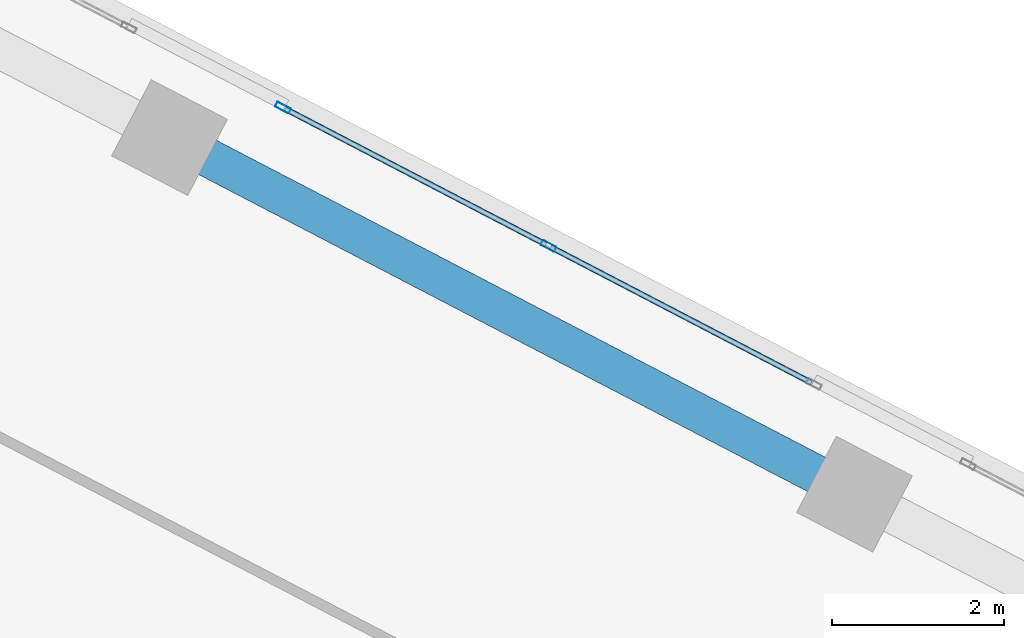
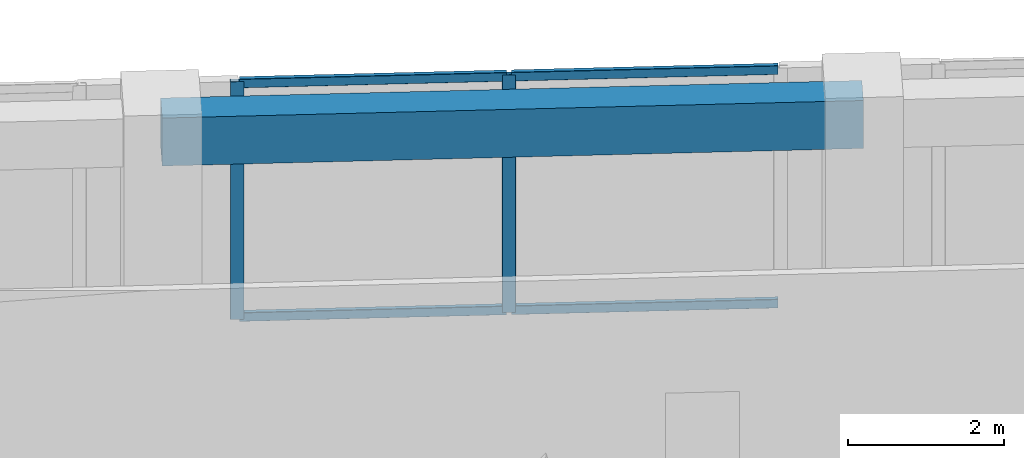
# One storey, part 13 of 22: 6 members, 1 beam, 1 element without a shape of its own.
"""IFC4 building model written with IfcOpenShell, lengths in metres."""

from ifc_helpers import new_model, si_unit, direction, frame, origin, origin_2d, place, context, subcontext, project, spatial, rectangle, hollow_rectangle, extrude, source, transform, mapped, material, material_profile, profile_set, type_object, element, aggregate, save


model = new_model("IFC4")

# Units and contexts
model_context = context("Model", 3, precision=1e-05, world=origin(), true_north=direction((0.0, 1.0)))
body_context = subcontext(model_context, "Body", "Model", "MODEL_VIEW")
ifc_project = project(units=[si_unit("LENGTHUNIT", "METRE"), si_unit("AREAUNIT", "SQUARE_METRE"), si_unit("VOLUMEUNIT", "CUBIC_METRE"), si_unit("PLANEANGLEUNIT", "RADIAN"), si_unit("MASSUNIT", "GRAM", prefix="KILO")], contexts=[model_context])

# Site, building, storey
site_placement = place(None, origin())
site = spatial("IfcSite", under=ifc_project, at=site_placement, CompositionType="ELEMENT")
building_placement = place(site_placement, origin())
building = spatial("IfcBuilding", under=site, at=building_placement, Name="Torre Montelarca", CompositionType="ELEMENT")
storey_placement = place(building_placement, frame((0.0, 0.0, 166.60009765625)))
storey = spatial("IfcBuildingStorey", under=building, at=storey_placement, Name="L37", CompositionType="ELEMENT", Elevation=166.60009765625)

# Beam
ifc_material_1 = material(Name="Concrete C55/67", Category="concrete")
ifc_material_profile_1 = material_profile(ifc_material_1, rectangle(XDim=0.449951171875, YDim=0.75, at=origin_2d()), Name="RCB450X750", Category="concrete")
ifc_profile_set_1 = profile_set([ifc_material_profile_1], Name="Concrete C55/67")
beam_type = type_object("IfcBeamType", Name="BM-SP-RC750-EXT", PredefinedType="SPANDREL", material=ifc_profile_set_1)
shared_shape_1 = source(origin(), body_context, "Body", "SweptSolid", [
    extrude(rectangle(XDim=0.449951171875, YDim=0.75, at=origin_2d()), origin(), (0.0, 0.0, 1.0), 8.999755859375),
])
beam_placement = place(storey_placement, frame((25.39111328125, 47.05419921875, 3.5849609375), z_axis=(0.887016404275, -0.4617379111, 0.0), x_axis=(0.4617379111, 0.887016404275, 0.0)))
element("IfcBeam", 1, at=beam_placement, inside=storey, type_object=beam_type, Name="L37 Grid Girder X 18.0-27.0 at Y=47.1", PredefinedType="SPANDREL", context=body_context, shape_type="MappedRepresentation", body=[
    mapped(shared_shape_1, transform((0.0, 0.0, 0.0), scale=1.0)),
])

# Curtain wall, members
ifc_material_2 = material(Name="Insulated low-E laminated glass", Category="glass")
curtain_wall_type = type_object("IfcCurtainWallType", Name="CW-SYS-Z2", PredefinedType="USERDEFINED", material=ifc_material_2)
curtain_wall_placement = place(storey_placement, origin())
curtain_wall = element("IfcCurtainWall", 2, at=curtain_wall_placement, inside=storey, type_object=curtain_wall_type, Name="L37 Curtain Wall Run CW-T3-L37-E08-B3", ObjectType="UNITISED GLAZING", PredefinedType="USERDEFINED")
ifc_material_3 = material(Name="Anodised aluminium AA 6063-T6", Category="aluminium")
ifc_material_profile_2 = material_profile(ifc_material_3, hollow_rectangle(XDim=0.06494140625, YDim=0.179931640625, WallThickness=0.00390625, InnerFilletRadius=0.00390625, OuterFilletRadius=0.008056640625, at=origin_2d()), Name="ALU65X180X4", Category="aluminium")
ifc_profile_set_2 = profile_set([ifc_material_profile_2], Name="Anodised aluminium AA 6063-T6")
member_type_1 = type_object("IfcMemberType", Name="CWM-ALU180", PredefinedType="MULLION", material=ifc_profile_set_2)
shared_shape_2 = source(origin(), body_context, "Body", "SweptSolid", [
    extrude(hollow_rectangle(XDim=0.06494140625, YDim=0.179931640625, WallThickness=0.00390625, InnerFilletRadius=0.00390625, OuterFilletRadius=0.008056640625, at=origin_2d()), origin(), (0.0, 0.0, 1.0), 3.719970703125),
])
member_1_placement = place(storey_placement, frame((29.807373046875, 45.79248046875, 0.0), z_axis=(0.0, 0.0, 1.0), x_axis=(-0.461750742588, -0.887009724704, 0.0)))
member_1 = element("IfcMember", 3, at=member_1_placement, type_object=member_type_1, Name="CW mullion 2", PredefinedType="MULLION", context=body_context, shape_type="MappedRepresentation", body=[
    mapped(shared_shape_2, transform((0.0, 0.0, 0.0), scale=1.0)),
])
member_2_placement = place(storey_placement, frame((26.7138671875, 47.40283203125, 0.0), z_axis=(0.0, 0.0, 1.0), x_axis=(-0.461750742588, -0.887009724704, 0.0)))
member_2 = element("IfcMember", 4, at=member_2_placement, type_object=member_type_1, Name="CW mullion 3", PredefinedType="MULLION", context=body_context, shape_type="MappedRepresentation", body=[
    mapped(shared_shape_2, transform((0.0, 0.0, 0.0), scale=1.0)),
])
ifc_material_profile_3 = material_profile(ifc_material_3, hollow_rectangle(XDim=0.06494140625, YDim=0.139892578125, WallThickness=0.00390625, InnerFilletRadius=0.00390625, OuterFilletRadius=0.008056640625, at=origin_2d()), Name="ALU65X140X4", Category="aluminium")
ifc_profile_set_3 = profile_set([ifc_material_profile_3], Name="Anodised aluminium AA 6063-T6")
member_type_2 = type_object("IfcMemberType", Name="CWT-ALU140", PredefinedType="USERDEFINED", material=ifc_profile_set_3)
shared_shape_3 = source(origin(), body_context, "Body", "SweptSolid", [
    extrude(hollow_rectangle(XDim=0.06494140625, YDim=0.139892578125, WallThickness=0.00390625, InnerFilletRadius=0.00390625, OuterFilletRadius=0.008056640625, at=origin_2d()), origin(), (0.0, 0.0, 1.0), 3.422607421875),
])
member_3_placement = place(storey_placement, frame((29.778564453125, 45.8076171875, 0.032470703125), z_axis=(-0.887018174284, 0.461734510828, 0.0), x_axis=(-0.461734510828, -0.887018174284, 0.0)))
member_3 = element("IfcMember", 5, at=member_3_placement, type_object=member_type_2, Name="CW transom 2.1", ObjectType="TRANSOM", PredefinedType="USERDEFINED", context=body_context, shape_type="MappedRepresentation", body=[
    mapped(shared_shape_3, transform((0.0, 0.0, 0.0), scale=1.0)),
])
member_4_placement = place(storey_placement, frame((29.778564453125, 45.8076171875, 3.6875), z_axis=(-0.887018174284, 0.461734510828, 0.0), x_axis=(-0.461734510828, -0.887018174284, 0.0)))
member_4 = element("IfcMember", 6, at=member_4_placement, type_object=member_type_2, Name="CW transom 2.2", ObjectType="TRANSOM", PredefinedType="USERDEFINED", context=body_context, shape_type="MappedRepresentation", body=[
    mapped(shared_shape_3, transform((0.0, 0.0, 0.0), scale=1.0)),
])
shared_shape_4 = source(origin(), body_context, "Body", "SweptSolid", [
    extrude(hollow_rectangle(XDim=0.06494140625, YDim=0.139892578125, WallThickness=0.00390625, InnerFilletRadius=0.00390625, OuterFilletRadius=0.008056640625, at=origin_2d()), origin(), (0.0, 0.0, 1.0), 3.42236328125),
])
member_5_placement = place(storey_placement, frame((32.871826171875, 44.197265625, 0.032470703125), z_axis=(-0.887002964865, 0.461763727809, 0.0), x_axis=(-0.461763727809, -0.887002964865, 0.0)))
member_5 = element("IfcMember", 7, at=member_5_placement, type_object=member_type_2, Name="CW transom 1.1", ObjectType="TRANSOM", PredefinedType="USERDEFINED", context=body_context, shape_type="MappedRepresentation", body=[
    mapped(shared_shape_4, transform((0.0, 0.0, 0.0), scale=1.0)),
])
member_6_placement = place(storey_placement, frame((32.871826171875, 44.197265625, 3.6875), z_axis=(-0.887002964865, 0.461763727809, 0.0), x_axis=(-0.461763727809, -0.887002964865, 0.0)))
member_6 = element("IfcMember", 8, at=member_6_placement, type_object=member_type_2, Name="CW transom 1.2", ObjectType="TRANSOM", PredefinedType="USERDEFINED", context=body_context, shape_type="MappedRepresentation", body=[
    mapped(shared_shape_4, transform((0.0, 0.0, 0.0), scale=1.0)),
])
aggregate(curtain_wall, [member_1, member_2, member_5, member_6, member_3, member_4])

save(model, "model.ifc")
